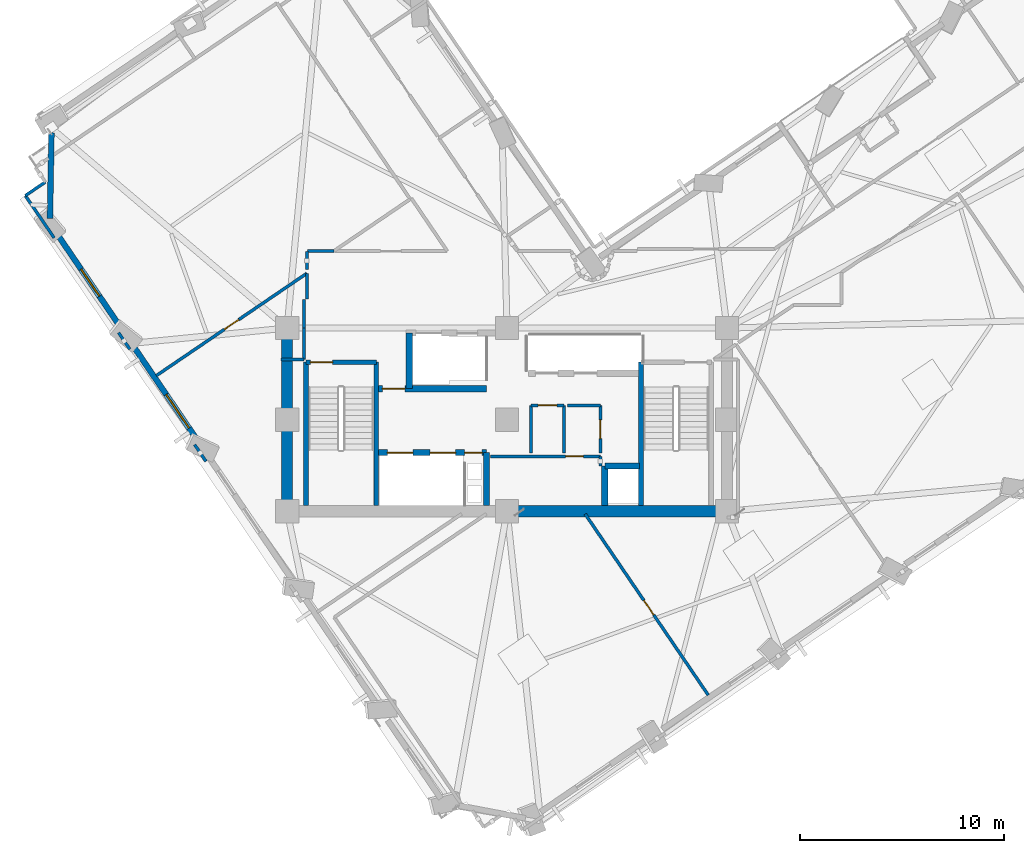
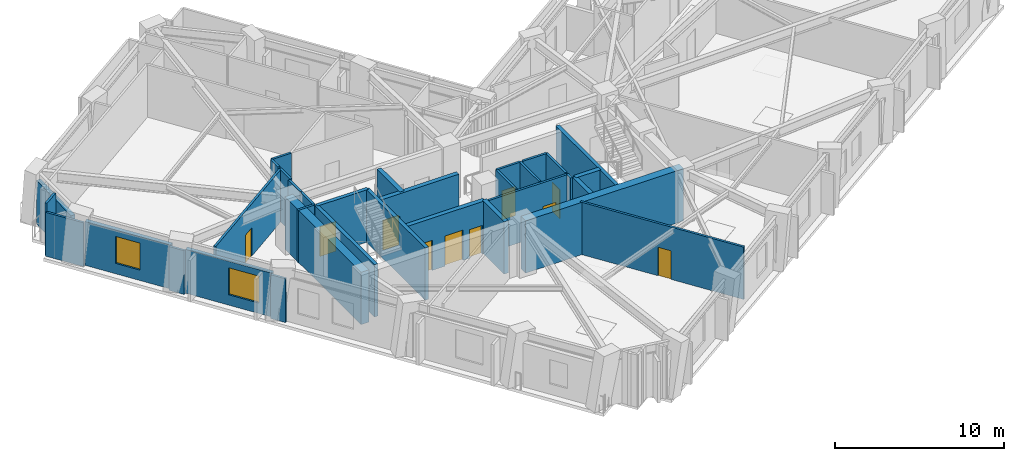
# One storey, part 8 of 16: 34 walls, 10 doors, 2 windows, 12 openings.
"""IFC4 building model written with IfcOpenShell, lengths in metres."""

import ifcopenshell
import ifcopenshell.guid

model = None  # the IFC model being written
_history = None  # IfcOwnerHistory: only IFC2X3 demands one
_inside = {}  # id of a spatial element -> (the spatial element, [elements in it])
_under = {}  # id of a project, library or spatial element -> (it, [spatial elements below it])
_declared = {}  # id of a project -> (the project, [libraries it declares])
_typed = {}  # id of a type object -> (the type object, [elements of that type])
_made_of = {}  # id of a material, layer set ... -> (it, [elements and type objects made of it])


def new_model(schema):
    """Start an empty IFC model of exactly this schema.

    Asked for "IFC4X3", IfcOpenShell would pick the latest addendum, in which some entities
    have other attributes; the version numbers below select the first issue.
    IFC2X3 requires an IfcOwnerHistory on every rooted entity: one is made here for all.
    """
    global model, _history
    if schema == "IFC4X3":
        model = ifcopenshell.file(schema_version=(4, 3, 0, 0))
    else:
        model = ifcopenshell.file(schema=schema)
    _inside.clear()
    _under.clear()
    _declared.clear()
    _typed.clear()
    _made_of.clear()
    _history = None
    if model.schema == "IFC2X3":
        org = make("IfcOrganization", Name="unknown")
        user = make(
            "IfcPersonAndOrganization",
            ThePerson=make("IfcPerson", FamilyName="unknown"),
            TheOrganization=org,
        )
        app = make(
            "IfcApplication",
            ApplicationDeveloper=org,
            Version="unknown",
            ApplicationFullName="unknown",
            ApplicationIdentifier="unknown",
        )
        _history = make(
            "IfcOwnerHistory",
            OwningUser=user,
            OwningApplication=app,
            ChangeAction="ADDED",
            CreationDate=0,
        )
    return model


def make(cls, **values):
    """One entity of the class cls with the attributes given. An attribute that is None is left unset."""
    return model.create_entity(
        cls, **{name: value for name, value in values.items() if value is not None}
    )


def rooted(cls, **values):
    """An entity with a GlobalId (a new one), such as an element, a storey or a relation."""
    return make(cls, GlobalId=ifcopenshell.guid.new(), OwnerHistory=_history, **values)


def si_unit(unit_type, name, prefix=None):
    """IfcSIUnit, for example si_unit("LENGTHUNIT", "METRE", prefix="MILLI")."""
    return make("IfcSIUnit", UnitType=unit_type, Prefix=prefix, Name=name)


def assignment(units):
    """IfcUnitAssignment: the units of a project."""
    return None if units is None else make("IfcUnitAssignment", Units=units)


def point(xyz):
    """IfcCartesianPoint."""
    return None if xyz is None else make("IfcCartesianPoint", Coordinates=xyz)


def direction(xyz):
    """IfcDirection."""
    return None if xyz is None else make("IfcDirection", DirectionRatios=xyz)


def frame(location, z_axis=None, x_axis=None):
    """IfcAxis2Placement3D, a coordinate frame: its origin and axes. An axis left out is left unset."""
    return make(
        "IfcAxis2Placement3D",
        Location=point(location),
        Axis=direction(z_axis),
        RefDirection=direction(x_axis),
    )


def frame_2d(location, x_axis=None):
    """IfcAxis2Placement2D, a coordinate frame in the plane: its origin and x axis."""
    return make(
        "IfcAxis2Placement2D", Location=point(location), RefDirection=direction(x_axis)
    )


def origin():
    """The frame at (0, 0, 0) with its axes left unset."""
    return frame((0.0, 0.0, 0.0))


def place(relative_to, where):
    """IfcLocalPlacement: puts the frame where relative to a parent placement (None: the world)."""
    return make(
        "IfcLocalPlacement", PlacementRelTo=relative_to, RelativePlacement=where
    )


def context(
    kind, dimensions, precision=None, world=None, true_north=None, identifier=None
):
    """IfcGeometricRepresentationContext, for example the 3D "Model" context."""
    return make(
        "IfcGeometricRepresentationContext",
        ContextIdentifier=identifier,
        ContextType=kind,
        CoordinateSpaceDimension=dimensions,
        Precision=precision,
        WorldCoordinateSystem=world,
        TrueNorth=true_north,
    )


def subcontext(parent, identifier, kind, view, scale=None):
    """IfcGeometricRepresentationSubContext, for example "Body" below "Model"."""
    return make(
        "IfcGeometricRepresentationSubContext",
        ContextIdentifier=identifier,
        ContextType=kind,
        ParentContext=parent,
        TargetScale=scale,
        TargetView=view,
    )


def project(units=None, contexts=None):
    """IfcProject with its units and contexts."""
    return rooted(
        "IfcProject",
        Name="project",
        RepresentationContexts=contexts,
        UnitsInContext=assignment(units),
    )


def spatial(cls, under=None, at=None, **own):
    """A site, building, storey or space (cls), placed at a placement, below another one or the project."""
    s = rooted(cls, ObjectPlacement=at, **own)
    if under is not None:
        _under.setdefault(under.id(), (under, []))[1].append(s)
    return s


def profile(cls, at=None, kind="AREA", **sizes):
    """A parametric profile (cls). Its sizes go by their IFC names, for example OverallWidth=200.0."""
    return make(cls, ProfileType=kind, Position=at, **sizes)


def rectangle(**sizes):
    """IfcRectangleProfileDef."""
    return profile("IfcRectangleProfileDef", **sizes)


def extrude(swept, where, along, depth):
    """IfcExtrudedAreaSolid: the profile swept, set in the frame where, extruded along a direction by depth."""
    return make(
        "IfcExtrudedAreaSolid",
        SweptArea=swept,
        Position=where,
        ExtrudedDirection=direction(along),
        Depth=depth,
    )


def shape(context_of_items, identifier, shape_type, items):
    """IfcShapeRepresentation: the items that make up one representation, for example the "Body"."""
    return make(
        "IfcShapeRepresentation",
        ContextOfItems=context_of_items,
        RepresentationIdentifier=identifier,
        RepresentationType=shape_type,
        Items=items,
    )


def material(Name=None, Category=None):
    """IfcMaterial."""
    return make("IfcMaterial", Name=Name, Category=Category)


def layer(
    of_material, thickness, ventilated=None, Name=None, Category=None, Priority=None
):
    """IfcMaterialLayer: one layer of a wall or slab, of a material (None: an air gap)."""
    return make(
        "IfcMaterialLayer",
        Material=of_material,
        LayerThickness=thickness,
        IsVentilated=ventilated,
        Name=Name,
        Category=Category,
        Priority=Priority,
    )


def layer_set(layers, Name=None):
    """IfcMaterialLayerSet."""
    return make("IfcMaterialLayerSet", MaterialLayers=layers, LayerSetName=Name)


def made_of(thing, what):
    """Note that an element or type object is made of a material, layer set ...; save() writes the relation."""
    if what is not None:
        _made_of.setdefault(what.id(), (what, []))[1].append(thing)
    return thing


def type_object(cls, material=None, **own):
    """A type object (cls), such as IfcWallType, which elements share."""
    return made_of(rooted(cls, **own), material)


def element(
    cls,
    number,
    at=None,
    inside=None,
    cuts=None,
    type_object=None,
    material=None,
    context=None,
    identifier="Body",
    shape_type=None,
    held_by="IfcProductDefinitionShape",
    body=None,
    shapes=None,
    **own,
):
    """One element of the class cls, such as IfcWall. Its Tag is "e" and its number.

    at: its placement. inside: the storey or other place that contains it. cuts: it is an
    opening in that element (IfcRelVoidsElement). A single representation is given by context,
    identifier, shape_type and body (its items); several are given by shapes. held_by: the class
    of the entity that holds the representations. save() writes the other relations.
    """
    e = rooted(cls, Tag="e%d" % number, ObjectPlacement=at, **own)
    if body is not None:
        shapes = [shape(context, identifier, shape_type, body)]
    if shapes is not None:
        e.Representation = make(held_by, Representations=shapes)
    if inside is not None:
        _inside.setdefault(inside.id(), (inside, []))[1].append(e)
    if cuts is not None:
        rooted(
            "IfcRelVoidsElement", RelatingBuildingElement=cuts, RelatedOpeningElement=e
        )
    if type_object is not None:
        _typed.setdefault(type_object.id(), (type_object, []))[1].append(e)
    return made_of(e, material)


def fill(opening, filler):
    """IfcRelFillsElement: the door or window that sits in an opening."""
    return rooted(
        "IfcRelFillsElement",
        RelatingOpeningElement=opening,
        RelatedBuildingElement=filler,
    )


def aggregate(whole, parts):
    """IfcRelAggregates: a whole, such as a stair, and the parts it consists of."""
    return rooted("IfcRelAggregates", RelatingObject=whole, RelatedObjects=parts)


def save(model, path):
    """Write the relations noted so far, then the file.

    IfcRelAggregates (storeys below a building ...), IfcRelContainedInSpatialStructure (elements
    in a storey), IfcRelDefinesByType, IfcRelAssociatesMaterial and IfcRelDeclares: one each for
    every whole, place, type object, material and project.
    """
    for whole, parts in _under.values():
        aggregate(whole, parts)
    for where, things in _inside.values():
        rooted(
            "IfcRelContainedInSpatialStructure",
            RelatedElements=things,
            RelatingStructure=where,
        )
    for kind, things in _typed.values():
        rooted("IfcRelDefinesByType", RelatedObjects=things, RelatingType=kind)
    for what, things in _made_of.values():
        rooted("IfcRelAssociatesMaterial", RelatedObjects=things, RelatingMaterial=what)
    for by, libraries in _declared.values():
        rooted("IfcRelDeclares", RelatingContext=by, RelatedDefinitions=libraries)
    model.write(path)


model = new_model("IFC4")

# Units and contexts
model_context = context("Model", 3, precision=1e-05, world=origin(), true_north=direction((0.0, 1.0)))
body_context = subcontext(model_context, "Body", "Model", "MODEL_VIEW")
ifc_project = project(units=[si_unit("LENGTHUNIT", "METRE"), si_unit("AREAUNIT", "SQUARE_METRE"), si_unit("VOLUMEUNIT", "CUBIC_METRE"), si_unit("PLANEANGLEUNIT", "RADIAN"), si_unit("MASSUNIT", "GRAM", prefix="KILO")], contexts=[model_context])

# Site, building, storey
site_placement = place(None, origin())
site = spatial("IfcSite", under=ifc_project, at=site_placement, CompositionType="ELEMENT")
building_placement = place(site_placement, origin())
building = spatial("IfcBuilding", under=site, at=building_placement, Name="Gaonmaruhae Medical Tower", CompositionType="ELEMENT")
storey_placement = place(building_placement, frame((0.0, 0.0, 169.800048828125)))
storey = spatial("IfcBuildingStorey", under=building, at=storey_placement, Name="L40", CompositionType="ELEMENT", Elevation=169.800048828125)

# Walls
ifc_material_1 = material(Name="Concrete C50/60", Category="concrete")
ifc_layer_1 = layer(ifc_material_1, 0.550048828125)
ifc_layer_set_1 = layer_set([ifc_layer_1], Name="Concrete C50/60")
wall_type_1 = type_object("IfcWallType", Name="CW-550 Mid-High Core Shear Wall", PredefinedType="SHEAR", material=ifc_layer_set_1)
wall_1_placement = place(storey_placement, frame((24.800048828125, 7.800048828125, 0.0), z_axis=(0.0, 0.0, 1.0), x_axis=(1.0, 0.0, 0.0)))
element("IfcWall", 1, at=wall_1_placement, inside=storey, type_object=wall_type_1, Name="L40 Core Shear Wall CSW-S2", PredefinedType="SHEAR", context=body_context, shape_type="SweptSolid", body=[
    extrude(rectangle(XDim=10.800048828125, YDim=0.550048828125, at=frame_2d((5.39990234375, 0.0))), origin(), (0.0, 0.0, 1.0), 3.780029296875),
])
wall_2_placement = place(storey_placement, frame((14.0, 16.800048828125, 0.0), z_axis=(0.0, 0.0, 1.0), x_axis=(0.0, -1.0, 0.0)))
element("IfcWall", 2, at=wall_2_placement, inside=storey, type_object=wall_type_1, Name="L40 Core Shear Wall CSW-W1", PredefinedType="SHEAR", context=body_context, shape_type="SweptSolid", body=[
    extrude(rectangle(XDim=9.0, YDim=0.550048828125, at=frame_2d((4.5, 0.0))), origin(), (0.0, 0.0, 1.0), 3.780029296875),
])
ifc_material_2 = material(Name="Precast concrete C45/55", Category="concrete")
ifc_layer_2 = layer(ifc_material_2, 0.280029296875)
ifc_layer_set_2 = layer_set([ifc_layer_2], Name="Precast concrete C45/55")
wall_type_2 = type_object("IfcWallType", Name="EW-280 Upper Precast Masonry-Frame Facade Wall", PredefinedType="SOLIDWALL", material=ifc_layer_set_2)
wall_3_placement = place(storey_placement, frame((2.357177734375, 22.179443359375, 0.0), z_axis=(0.0, 0.0, 1.0), x_axis=(0.017743538058, 0.999842571037, 0.0)))
element("IfcWall", 3, at=wall_3_placement, inside=storey, type_object=wall_type_2, Name="L40 Precast Masonry-Frame Wall N03-W01", PredefinedType="SOLIDWALL", context=body_context, shape_type="SweptSolid", body=[
    extrude(rectangle(XDim=4.21044921875, YDim=0.280029296875, at=frame_2d((2.105224609375, 0.0))), origin(), (0.0, 0.0, 1.0), 3.1650390625),
])

# Wall, opening, window
wall_4_placement = place(storey_placement, frame((5.914794921875, 16.701416015625, 0.0), z_axis=(0.0, 0.0, 1.0), x_axis=(-0.562096416703, 0.82707171293, 0.0)))
wall_4 = element("IfcWall", 4, at=wall_4_placement, inside=storey, type_object=wall_type_2, Name="L40 Precast Masonry-Frame Wall W01-W02", PredefinedType="SOLIDWALL", context=body_context, shape_type="SweptSolid", body=[
    extrude(rectangle(XDim=5.627685546875, YDim=0.280029296875, at=frame_2d((2.81396484375, 0.0))), origin(), (0.0, 0.0, 1.0), 3.1650390625),
])
opening_1_placement = place(wall_4_placement, frame((2.01123046875, 0.0, 0.75)))
opening_1 = element("IfcOpeningElement", 5, at=opening_1_placement, cuts=wall_4, Name="Opening WN-01", PredefinedType="OPENING", context=body_context, shape_type="SweptSolid", body=[
    extrude(rectangle(XDim=1.60009765625, YDim=1.949951171875, at=frame_2d((0.800048828125, 0.97509765625))), frame((0.0, 0.14990234375, 0.0), z_axis=(0.0, -1.0, 0.0), x_axis=(1.0, 0.0, 0.0)), (0.0, 0.0, 1.0), 0.300048828125),
])
ifc_material_3 = material(Name="Anodised aluminium and Low-E double glazing", Category="aluminium")
window_type_1 = type_object("IfcWindowType", Name="WN-01 Ward Punched Acoustic Window 1600x1950", PartitioningType="SINGLE_PANEL", PredefinedType="WINDOW", material=ifc_material_3)
window_1_placement = place(opening_1_placement, origin())
window_1 = element("IfcWindow", 6, at=window_1_placement, inside=storey, type_object=window_type_1, Name="L40 Modular Facade Window W01", OverallHeight=1.949951171875, OverallWidth=1.60009765625, PartitioningType="SINGLE_PANEL", PredefinedType="WINDOW", context=body_context, shape_type="SweptSolid", body=[
    extrude(rectangle(XDim=1.60009765625, YDim=1.949951171875, at=frame_2d((0.800048828125, 0.97509765625))), frame((0.0, 0.030029296875, 0.0), z_axis=(0.0, -1.0, 0.0), x_axis=(1.0, 0.0, 0.0)), (0.0, 0.0, 1.0), 0.06005859375),
])
fill(opening_1, window_1)

wall_5_placement = place(storey_placement, frame((9.64990234375, 11.20556640625, 0.0), z_axis=(0.0, 0.0, 1.0), x_axis=(-0.562110697088, 0.827062007482, 0.0)))
wall_5 = element("IfcWall", 7, at=wall_5_placement, inside=storey, type_object=wall_type_2, Name="L40 Precast Masonry-Frame Wall W02-W03", PredefinedType="SOLIDWALL", context=body_context, shape_type="SweptSolid", body=[
    extrude(rectangle(XDim=5.662353515625, YDim=0.280029296875, at=frame_2d((2.8310546875, 0.0))), origin(), (0.0, 0.0, 1.0), 3.1650390625),
])
opening_2_placement = place(wall_5_placement, frame((0.823486328125, 0.0, 0.75)))
opening_2 = element("IfcOpeningElement", 8, at=opening_2_placement, cuts=wall_5, Name="Opening WN-02", PredefinedType="OPENING", context=body_context, shape_type="SweptSolid", body=[
    extrude(rectangle(XDim=2.0, YDim=1.949951171875, at=frame_2d((1.0, 0.97509765625))), frame((0.0, 0.14990234375, 0.0), z_axis=(0.0, -1.0, 0.0), x_axis=(1.0, 0.0, 0.0)), (0.0, 0.0, 1.0), 0.300048828125),
])
window_type_2 = type_object("IfcWindowType", Name="WN-02 Double-Bed Ward Punched Window 2000x1950", PartitioningType="SINGLE_PANEL", PredefinedType="WINDOW", material=ifc_material_3)
window_2_placement = place(opening_2_placement, origin())
window_2 = element("IfcWindow", 9, at=window_2_placement, inside=storey, type_object=window_type_2, Name="L40 Modular Facade Window W02", OverallHeight=1.949951171875, OverallWidth=2.0, PartitioningType="SINGLE_PANEL", PredefinedType="WINDOW", context=body_context, shape_type="SweptSolid", body=[
    extrude(rectangle(XDim=2.0, YDim=1.949951171875, at=frame_2d((1.0, 0.97509765625))), frame((0.0, 0.030029296875, 0.0), z_axis=(0.0, -1.0, 0.0), x_axis=(1.0, 0.0, 0.0)), (0.0, 0.0, 1.0), 0.06005859375),
])
fill(opening_2, window_2)

# Wall, opening, door
ifc_material_4 = material(Name="Gypsum board partition", Category="gypsum")
ifc_layer_3 = layer(ifc_material_4, 0.14990234375)
ifc_layer_set_3 = layer_set([ifc_layer_3], Name="Gypsum board partition")
wall_type_3 = type_object("IfcWallType", Name="PW-150 Rated Clinical Corridor Partition", PredefinedType="PARTITIONING", material=ifc_layer_set_3)
wall_6_placement = place(storey_placement, frame((23.97998046875, 10.5, 0.0), z_axis=(0.0, 0.0, 1.0), x_axis=(1.0, 0.0, 0.0)))
wall_6 = element("IfcWall", 10, at=wall_6_placement, inside=storey, type_object=wall_type_3, Name="L40 Interior Partition L40-RCL1-1", PredefinedType="PARTITIONING", context=body_context, shape_type="SweptSolid", body=[
    extrude(rectangle(XDim=5.39990234375, YDim=0.14990234375, at=frame_2d((2.699951171875, 0.0))), origin(), (0.0, 0.0, 1.0), 3.780029296875),
])
opening_3_placement = place(wall_6_placement, frame((3.702880859375, 0.0, 0.0)))
opening_3 = element("IfcOpeningElement", 11, at=opening_3_placement, cuts=wall_6, Name="Opening AD-01", PredefinedType="OPENING", context=body_context, shape_type="SweptSolid", body=[
    extrude(rectangle(XDim=0.860107421875, YDim=2.06005859375, at=frame_2d((0.43017578125, 1.030029296875))), frame((0.0, 0.0849609375, 0.0), z_axis=(0.0, -1.0, 0.0), x_axis=(1.0, 0.0, 0.0)), (0.0, 0.0, 1.0), 0.169921875),
])
ifc_material_5 = material(Name="Powder-coated steel access door", Category="steel")
door_type_1 = type_object("IfcDoorType", Name="AD-01 Riser & Closet Access Fire Door 860x2060", OperationType="NOTDEFINED", PredefinedType="DOOR", material=ifc_material_5)
door_1_placement = place(opening_3_placement, origin())
door_1 = element("IfcDoor", 12, at=door_1_placement, inside=storey, type_object=door_type_1, Name="L40 Biomedical Infusion Preparation Room Sliding Door", OperationType="SLIDING_TO_LEFT", OverallHeight=2.06005859375, OverallWidth=0.860107421875, PredefinedType="DOOR", context=body_context, shape_type="SweptSolid", body=[
    extrude(rectangle(XDim=0.860107421875, YDim=2.06005859375, at=frame_2d((0.43017578125, 1.030029296875))), frame((0.0, 0.02490234375, 0.0), z_axis=(0.0, -1.0, 0.0), x_axis=(1.0, 0.0, 0.0)), (0.0, 0.0, 1.0), 0.050048828125),
])
fill(opening_3, door_1)

# Walls
wall_7_placement = place(storey_placement, frame((29.3798828125, 10.5, 0.0), z_axis=(0.0, 0.0, 1.0), x_axis=(0.0, -1.0, 0.0)))
element("IfcWall", 13, at=wall_7_placement, inside=storey, type_object=wall_type_3, Name="L40 Interior Partition L40-RCL1-2", PredefinedType="PARTITIONING", context=body_context, shape_type="SweptSolid", body=[
    extrude(rectangle(XDim=0.47998046875, YDim=0.14990234375, at=frame_2d((0.239990234375, 0.0))), origin(), (0.0, 0.0, 1.0), 3.780029296875),
])
wall_8_placement = place(storey_placement, frame((25.97998046875, 10.659912109375, 0.0), z_axis=(0.0, 0.0, 1.0), x_axis=(0.0, 1.0, 0.0)))
element("IfcWall", 14, at=wall_8_placement, inside=storey, type_object=wall_type_3, Name="L40 Interior Partition L40-CS1-3", PredefinedType="PARTITIONING", context=body_context, shape_type="SweptSolid", body=[
    extrude(rectangle(XDim=2.340087890625, YDim=0.14990234375, at=frame_2d((1.169921875, 0.0))), origin(), (0.0, 0.0, 1.0), 3.780029296875),
])

# Wall, opening, door
wall_9_placement = place(storey_placement, frame((25.97998046875, 13.0, 0.0), z_axis=(0.0, 0.0, 1.0), x_axis=(1.0, 0.0, 0.0)))
wall_9 = element("IfcWall", 15, at=wall_9_placement, inside=storey, type_object=wall_type_3, Name="L40 Interior Partition L40-CS1-4", PredefinedType="PARTITIONING", context=body_context, shape_type="SweptSolid", body=[
    extrude(rectangle(XDim=1.6201171875, YDim=0.14990234375, at=frame_2d((0.81005859375, 0.0))), origin(), (0.0, 0.0, 1.0), 3.780029296875),
])
opening_4_placement = place(wall_9_placement, frame((0.35009765625, 0.0, 0.0)))
opening_4 = element("IfcOpeningElement", 16, at=opening_4_placement, cuts=wall_9, Name="Opening UD-01", PredefinedType="OPENING", context=body_context, shape_type="SweptSolid", body=[
    extrude(rectangle(XDim=0.919921875, YDim=2.10009765625, at=frame_2d((0.4599609375, 1.050048828125))), frame((0.0, 0.0849609375, 0.0), z_axis=(0.0, -1.0, 0.0), x_axis=(1.0, 0.0, 0.0)), (0.0, 0.0, 1.0), 0.169921875),
])
ifc_material_6 = material(Name="Powder-coated steel utility door", Category="steel")
door_type_2 = type_object("IfcDoorType", Name="UD-01 Toilet, Utility & Housekeeping Door 920x2100", OperationType="NOTDEFINED", PredefinedType="DOOR", material=ifc_material_6)
door_2_placement = place(opening_4_placement, origin())
door_2 = element("IfcDoor", 17, at=door_2_placement, inside=storey, type_object=door_type_2, Name="L40 Accessible Staff Toilet Door", OperationType="SINGLE_SWING_RIGHT", OverallHeight=2.10009765625, OverallWidth=0.919921875, PredefinedType="DOOR", context=body_context, shape_type="SweptSolid", body=[
    extrude(rectangle(XDim=0.919921875, YDim=2.10009765625, at=frame_2d((0.4599609375, 1.050048828125))), frame((0.0, 0.02490234375, 0.0), z_axis=(0.0, -1.0, 0.0), x_axis=(1.0, 0.0, 0.0)), (0.0, 0.0, 1.0), 0.050048828125),
])
fill(opening_4, door_2)

# Walls
wall_10_placement = place(storey_placement, frame((27.60009765625, 13.0, 0.0), z_axis=(0.0, 0.0, 1.0), x_axis=(0.0, -1.0, 0.0)))
element("IfcWall", 18, at=wall_10_placement, inside=storey, type_object=wall_type_3, Name="L40 Interior Partition L40-CS1-5", PredefinedType="PARTITIONING", context=body_context, shape_type="SweptSolid", body=[
    extrude(rectangle(XDim=2.340087890625, YDim=0.14990234375, at=frame_2d((1.169921875, 0.0))), origin(), (0.0, 0.0, 1.0), 3.780029296875),
])
wall_11_placement = place(storey_placement, frame((27.760009765625, 13.0, 0.0), z_axis=(0.0, 0.0, 1.0), x_axis=(1.0, 0.0, 0.0)))
element("IfcWall", 19, at=wall_11_placement, inside=storey, type_object=wall_type_3, Name="L40 Interior Partition L40-CS2-6", PredefinedType="PARTITIONING", context=body_context, shape_type="SweptSolid", body=[
    extrude(rectangle(XDim=1.619873046875, YDim=0.14990234375, at=frame_2d((0.81005859375, 0.0))), origin(), (0.0, 0.0, 1.0), 3.780029296875),
])

# Wall, opening, door
wall_12_placement = place(storey_placement, frame((29.3798828125, 13.0, 0.0), z_axis=(0.0, 0.0, 1.0), x_axis=(0.0, -1.0, 0.0)))
wall_12 = element("IfcWall", 20, at=wall_12_placement, inside=storey, type_object=wall_type_3, Name="L40 Interior Partition L40-CS2-7", PredefinedType="PARTITIONING", context=body_context, shape_type="SweptSolid", body=[
    extrude(rectangle(XDim=2.340087890625, YDim=0.14990234375, at=frame_2d((1.169921875, 0.0))), origin(), (0.0, 0.0, 1.0), 3.780029296875),
])
opening_5_placement = place(wall_12_placement, frame((0.7099609375, 0.0, 0.0)))
opening_5 = element("IfcOpeningElement", 21, at=opening_5_placement, cuts=wall_12, Name="Opening UD-01", PredefinedType="OPENING", context=body_context, shape_type="SweptSolid", body=[
    extrude(rectangle(XDim=0.919921875, YDim=2.10009765625, at=frame_2d((0.4599609375, 1.050048828125))), frame((0.0, 0.0849609375, 0.0), z_axis=(0.0, -1.0, 0.0), x_axis=(1.0, 0.0, 0.0)), (0.0, 0.0, 1.0), 0.169921875),
])
door_3_placement = place(opening_5_placement, origin())
door_3 = element("IfcDoor", 22, at=door_3_placement, inside=storey, type_object=door_type_2, Name="L40 Biomedical Telemetry Closet Door", OperationType="SINGLE_SWING_RIGHT", OverallHeight=2.10009765625, OverallWidth=0.919921875, PredefinedType="DOOR", context=body_context, shape_type="SweptSolid", body=[
    extrude(rectangle(XDim=0.919921875, YDim=2.10009765625, at=frame_2d((0.4599609375, 1.050048828125))), frame((0.0, 0.02490234375, 0.0), z_axis=(0.0, -1.0, 0.0), x_axis=(1.0, 0.0, 0.0)), (0.0, 0.0, 1.0), 0.050048828125),
])
fill(opening_5, door_3)

wall_13_placement = place(storey_placement, frame((28.635986328125, 7.66796875, 0.0), z_axis=(0.0, 0.0, 1.0), x_axis=(0.562095190214, -0.827072546479, 0.0)))
wall_13 = element("IfcWall", 23, at=wall_13_placement, inside=storey, type_object=wall_type_3, Name="L40 Interior Partition L40-SUP01-11", PredefinedType="PARTITIONING", context=body_context, shape_type="SweptSolid", body=[
    extrude(rectangle(XDim=10.756103515625, YDim=0.14990234375, at=frame_2d((5.3779296875, 0.0))), origin(), (0.0, 0.0, 1.0), 3.780029296875),
])
opening_6_placement = place(wall_13_placement, frame((5.129150390625, 0.0, 0.0)))
opening_6 = element("IfcOpeningElement", 24, at=opening_6_placement, cuts=wall_13, Name="Opening AD-01", PredefinedType="OPENING", context=body_context, shape_type="SweptSolid", body=[
    extrude(rectangle(XDim=0.860107421875, YDim=2.06005859375, at=frame_2d((0.43017578125, 1.030029296875))), frame((0.0, 0.0849609375, 0.0), z_axis=(0.0, -1.0, 0.0), x_axis=(1.0, 0.0, 0.0)), (0.0, 0.0, 1.0), 0.169921875),
])
door_4_placement = place(opening_6_placement, origin())
door_4 = element("IfcDoor", 25, at=door_4_placement, inside=storey, type_object=door_type_1, Name="L40 Clinical Biomedical Charting Office Sliding Door", OperationType="SLIDING_TO_LEFT", OverallHeight=2.06005859375, OverallWidth=0.860107421875, PredefinedType="DOOR", context=body_context, shape_type="SweptSolid", body=[
    extrude(rectangle(XDim=0.860107421875, YDim=2.06005859375, at=frame_2d((0.43017578125, 1.030029296875))), frame((0.0, 0.02490234375, 0.0), z_axis=(0.0, -1.0, 0.0), x_axis=(1.0, 0.0, 0.0)), (0.0, 0.0, 1.0), 0.050048828125),
])
fill(opening_6, door_4)

# Walls
wall_14_placement = place(storey_placement, frame((14.820068359375, 18.199951171875, 0.0), z_axis=(0.0, 0.0, 1.0), x_axis=(0.01499656939, -0.99988754513, 0.0)))
element("IfcWall", 26, at=wall_14_placement, inside=storey, type_object=wall_type_3, Name="L40 Interior Partition L40-WOF05-36", PredefinedType="PARTITIONING", context=body_context, shape_type="SweptSolid", body=[
    extrude(rectangle(XDim=1.400146484375, YDim=0.14990234375, at=frame_2d((0.7001953125, 0.0))), origin(), (0.0, 0.0, 1.0), 3.780029296875),
])
wall_15_placement = place(storey_placement, frame((14.841064453125, 16.800048828125, 0.0), z_axis=(0.0, 0.0, 1.0), x_axis=(-0.01363221443, -0.999907077048, 0.0)))
element("IfcWall", 27, at=wall_15_placement, inside=storey, type_object=wall_type_3, Name="L40 Interior Partition L40-WOF05-37", PredefinedType="PARTITIONING", context=body_context, shape_type="SweptSolid", body=[
    extrude(rectangle(XDim=1.540283203125, YDim=0.14990234375, at=frame_2d((0.77001953125, 0.0))), origin(), (0.0, 0.0, 1.0), 3.780029296875),
])
wall_16_placement = place(storey_placement, frame((14.820068359375, 15.260009765625, 0.0), z_axis=(0.0, 0.0, 1.0), x_axis=(-1.0, 0.0, 0.0)))
element("IfcWall", 28, at=wall_16_placement, inside=storey, type_object=wall_type_3, Name="L40 Interior Partition L40-WOF05-38", PredefinedType="PARTITIONING", context=body_context, shape_type="SweptSolid", body=[
    extrude(rectangle(XDim=1.1201171875, YDim=0.14990234375, at=frame_2d((0.56005859375, 0.0))), origin(), (0.0, 0.0, 1.0), 3.780029296875),
])
wall_17_placement = place(storey_placement, frame((10.01708984375, 10.256103515625, 0.0), z_axis=(0.0, 0.0, 1.0), x_axis=(-0.562067465181, 0.827091388291, 0.0)))
element("IfcWall", 29, at=wall_17_placement, inside=storey, type_object=wall_type_3, Name="L40 Interior Partition L40-WOF05-41", PredefinedType="PARTITIONING", context=body_context, shape_type="SweptSolid", body=[
    extrude(rectangle(XDim=0.9912109375, YDim=0.14990234375, at=frame_2d((0.49560546875, 0.0))), origin(), (0.0, 0.0, 1.0), 3.1650390625),
])

# Wall, opening, door
wall_18_placement = place(storey_placement, frame((7.576904296875, 14.4599609375, 0.0), z_axis=(0.0, 0.0, 1.0), x_axis=(0.827101219413, 0.562052998253, 0.0)))
wall_18 = element("IfcWall", 30, at=wall_18_placement, inside=storey, type_object=wall_type_3, Name="L40 Interior Partition L40-WOF05-42", PredefinedType="PARTITIONING", context=body_context, shape_type="SweptSolid", body=[
    extrude(rectangle(XDim=8.9384765625, YDim=0.14990234375, at=frame_2d((4.46923828125, 0.0))), origin(), (0.0, 0.0, 1.0), 3.780029296875),
])
opening_7_placement = place(wall_18_placement, frame((4.039306640625, 0.0, 0.0)))
opening_7 = element("IfcOpeningElement", 31, at=opening_7_placement, cuts=wall_18, Name="Opening AD-01", PredefinedType="OPENING", context=body_context, shape_type="SweptSolid", body=[
    extrude(rectangle(XDim=0.860107421875, YDim=2.06005859375, at=frame_2d((0.43017578125, 1.030029296875))), frame((0.0, 0.0849609375, 0.0), z_axis=(0.0, -1.0, 0.0), x_axis=(1.0, 0.0, 0.0)), (0.0, 0.0, 1.0), 0.169921875),
])
door_5_placement = place(opening_7_placement, origin())
door_5 = element("IfcDoor", 32, at=door_5_placement, inside=storey, type_object=door_type_1, Name="L40 Ward Physician Reporting Office Sliding Door", OperationType="SLIDING_TO_LEFT", OverallHeight=2.06005859375, OverallWidth=0.860107421875, PredefinedType="DOOR", context=body_context, shape_type="SweptSolid", body=[
    extrude(rectangle(XDim=0.860107421875, YDim=2.06005859375, at=frame_2d((0.43017578125, 1.030029296875))), frame((0.0, 0.02490234375, 0.0), z_axis=(0.0, -1.0, 0.0), x_axis=(1.0, 0.0, 0.0)), (0.0, 0.0, 1.0), 0.050048828125),
])
fill(opening_7, door_5)

# Walls
wall_19_placement = place(storey_placement, frame((14.969970703125, 19.48388671875, 0.0), z_axis=(0.0, 0.0, 1.0), x_axis=(0.0, -1.0, 0.0)))
element("IfcWall", 33, at=wall_19_placement, inside=storey, type_object=wall_type_3, Name="L40 Interior Partition L40-WOF05-43", PredefinedType="PARTITIONING", context=body_context, shape_type="SweptSolid", body=[
    extrude(rectangle(XDim=1.25390625, YDim=0.14990234375, at=frame_2d((0.626953125, 0.0))), origin(), (0.0, 0.0, 1.0), 3.780029296875),
])
wall_20_placement = place(storey_placement, frame((14.969970703125, 20.550048828125, 0.0), z_axis=(0.0, 0.0, 1.0), x_axis=(0.0, -1.0, 0.0)))
element("IfcWall", 34, at=wall_20_placement, inside=storey, type_object=wall_type_3, Name="L40 Interior Partition L40-WOF06-44", PredefinedType="PARTITIONING", context=body_context, shape_type="SweptSolid", body=[
    extrude(rectangle(XDim=0.8720703125, YDim=0.14990234375, at=frame_2d((0.43603515625, 0.0))), origin(), (0.0, 0.0, 1.0), 3.780029296875),
])
wall_21_placement = place(storey_placement, frame((6.277099609375, 15.759033203125, 0.0), z_axis=(0.0, 0.0, 1.0), x_axis=(-0.561732265125, 0.827319081321, 0.0)))
element("IfcWall", 35, at=wall_21_placement, inside=storey, type_object=wall_type_3, Name="L40 Interior Partition L40-WOF06-45", PredefinedType="PARTITIONING", context=body_context, shape_type="SweptSolid", body=[
    extrude(rectangle(XDim=0.982666015625, YDim=0.14990234375, at=frame_2d((0.4912109375, 0.0))), origin(), (0.0, 0.0, 1.0), 3.1650390625),
])
wall_22_placement = place(storey_placement, frame((2.56103515625, 21.22705078125, 0.0), z_axis=(0.0, 0.0, 1.0), x_axis=(-0.562089073795, 0.827076703287, 0.0)))
element("IfcWall", 36, at=wall_22_placement, inside=storey, type_object=wall_type_3, Name="L40 Interior Partition L40-WOF06-46", PredefinedType="PARTITIONING", context=body_context, shape_type="SweptSolid", body=[
    extrude(rectangle(XDim=2.5087890625, YDim=0.14990234375, at=frame_2d((1.25439453125, 0.0))), origin(), (0.0, 0.0, 1.0), 3.1650390625),
])
wall_23_placement = place(storey_placement, frame((1.15087890625, 23.302001953125, 0.0), z_axis=(0.0, 0.0, 1.0), x_axis=(0.827180400401, 0.561936460102, 0.0)))
element("IfcWall", 37, at=wall_23_placement, inside=storey, type_object=wall_type_3, Name="L40 Interior Partition L40-WOF06-47", PredefinedType="PARTITIONING", context=body_context, shape_type="SweptSolid", body=[
    extrude(rectangle(XDim=1.179931640625, YDim=0.14990234375, at=frame_2d((0.58984375, 0.0))), origin(), (0.0, 0.0, 1.0), 3.780029296875),
])
wall_24_placement = place(storey_placement, frame((16.298095703125, 20.580078125, 0.0), z_axis=(0.0, 0.0, 1.0), x_axis=(-1.0, 0.0, 0.0)))
element("IfcWall", 38, at=wall_24_placement, inside=storey, type_object=wall_type_3, Name="L40 Interior Partition L40-WOF06-53", PredefinedType="PARTITIONING", context=body_context, shape_type="SweptSolid", body=[
    extrude(rectangle(XDim=1.301025390625, YDim=0.14990234375, at=frame_2d((0.650390625, 0.0))), origin(), (0.0, 0.0, 1.0), 3.780029296875),
])

# Wall, opening, door
ifc_layer_4 = layer(ifc_material_1, 0.239990234375)
ifc_layer_set_4 = layer_set([ifc_layer_4], Name="Concrete C50/60")
wall_type_4 = type_object("IfcWallType", Name="SW-240 Dogleg Stair Tight Shaft Wall", PredefinedType="SOLIDWALL", material=ifc_layer_set_4)
wall_25_placement = place(storey_placement, frame((14.919921875, 15.1201171875, 0.0), z_axis=(0.0, 0.0, 1.0), x_axis=(1.0, 0.0, 0.0)))
wall_25 = element("IfcWall", 39, at=wall_25_placement, inside=storey, type_object=wall_type_4, Name="L40 ST-01 Stair Shaft Wall SHW-ST-01-N", PredefinedType="SOLIDWALL", context=body_context, shape_type="SweptSolid", body=[
    extrude(rectangle(XDim=3.4599609375, YDim=0.239990234375, at=frame_2d((1.72998046875, 0.0))), origin(), (0.0, 0.0, 1.0), 3.780029296875),
])
opening_8_placement = place(wall_25_placement, frame((0.219970703125, 0.0, 0.0)))
opening_8 = element("IfcOpeningElement", 40, at=opening_8_placement, cuts=wall_25, Name="Opening FD-01", PredefinedType="OPENING", context=body_context, shape_type="SweptSolid", body=[
    extrude(rectangle(XDim=1.10009765625, YDim=2.14990234375, at=frame_2d((0.550048828125, 1.074951171875))), frame((0.0, 0.1298828125, 0.0), z_axis=(0.0, -1.0, 0.0), x_axis=(1.0, 0.0, 0.0)), (0.0, 0.0, 1.0), 0.260009765625),
])
ifc_material_7 = material(Name="Powder-coated steel fire door", Category="steel")
door_type_3 = type_object("IfcDoorType", Name="FD-01 Escape Stair Protected Fire Door 1100x2150", OperationType="NOTDEFINED", PredefinedType="DOOR", material=ifc_material_7)
door_6_placement = place(opening_8_placement, origin())
door_6 = element("IfcDoor", 41, at=door_6_placement, inside=storey, type_object=door_type_3, Name="L40 ST-01 Protected Escape Stair Door", OperationType="SINGLE_SWING_RIGHT", OverallHeight=2.14990234375, OverallWidth=1.10009765625, PredefinedType="DOOR", context=body_context, shape_type="SweptSolid", body=[
    extrude(rectangle(XDim=1.10009765625, YDim=2.14990234375, at=frame_2d((0.550048828125, 1.074951171875))), frame((0.0, 0.02490234375, 0.0), z_axis=(0.0, -1.0, 0.0), x_axis=(1.0, 0.0, 0.0)), (0.0, 0.0, 1.0), 0.050048828125),
])
fill(opening_8, door_6)

# Walls
for number, where, z_axis, x_axis, name in (
    (42, (18.3798828125, 15.1201171875, 0.0), (0.0, 0.0, 1.0), (0.0, -1.0, 0.0), "L40 ST-01 Stair Shaft Wall SHW-ST-01-E"),
    (43, (14.919921875, 8.074951171875, 0.0), (0.0, 0.0, 1.0), (0.0, 1.0, 0.0), "L40 ST-01 Stair Shaft Wall SHW-ST-01-W"),
    (44, (31.3701171875, 8.074951171875, 0.0), (0.0, 0.0, 1.0), (0.0, 1.0, 0.0), "L40 ST-02 Stair Shaft Wall SHW-ST-02-W"),
):
    element("IfcWall", number, at=place(storey_placement, frame(where, z_axis=z_axis, x_axis=x_axis)), inside=storey, type_object=wall_type_4, Name=name, PredefinedType="SOLIDWALL", context=body_context, shape_type="SweptSolid", body=[
        extrude(rectangle(XDim=7.045166015625, YDim=0.239990234375, at=frame_2d((3.5224609375, 0.0))), origin(), (0.0, 0.0, 1.0), 3.780029296875),
    ])

# Wall, openings, doors
ifc_layer_5 = layer(ifc_material_1, 0.300048828125)
ifc_layer_set_5 = layer_set([ifc_layer_5], Name="Concrete C50/60")
wall_type_5 = type_object("IfcWallType", Name="SW-300 Stair & Lift Hoistway Shaft Wall", PredefinedType="SOLIDWALL", material=ifc_layer_set_5)
wall_26_placement = place(storey_placement, frame((18.5, 10.679931640625, 0.0), z_axis=(0.0, 0.0, 1.0), x_axis=(1.0, 0.0, 0.0)))
wall_26 = element("IfcWall", 45, at=wall_26_placement, inside=storey, type_object=wall_type_5, Name="L40 Shaft Enclosure Wall SHW-FFN", PredefinedType="SOLIDWALL", context=body_context, shape_type="SweptSolid", body=[
    extrude(rectangle(XDim=5.300048828125, YDim=0.300048828125, at=frame_2d((2.64990234375, 0.0))), origin(), (0.0, 0.0, 1.0), 3.780029296875),
])
opening_9_placement = place(wall_26_placement, frame((4.219970703125, 0.0, 0.0)))
opening_9 = element("IfcOpeningElement", 46, at=opening_9_placement, cuts=wall_26, Name="Opening AD-01", PredefinedType="OPENING", context=body_context, shape_type="SweptSolid", body=[
    extrude(rectangle(XDim=0.860107421875, YDim=2.06005859375, at=frame_2d((0.43017578125, 1.030029296875))), frame((0.0, 0.16015625, 0.0), z_axis=(0.0, -1.0, 0.0), x_axis=(1.0, 0.0, 0.0)), (0.0, 0.0, 1.0), 0.320068359375),
])
opening_10_placement = place(wall_26_placement, frame((0.425048828125, 0.0, 0.0)))
opening_10 = element("IfcOpeningElement", 47, at=opening_10_placement, cuts=wall_26, Name="Opening LD-F1", PredefinedType="OPENING", context=body_context, shape_type="SweptSolid", body=[
    extrude(rectangle(XDim=1.25, YDim=2.179931640625, at=frame_2d((0.625, 1.08984375))), frame((0.0, 0.16015625, 0.0), z_axis=(0.0, -1.0, 0.0), x_axis=(1.0, 0.0, 0.0)), (0.0, 0.0, 1.0), 0.320068359375),
])
opening_11_placement = place(wall_26_placement, frame((2.52490234375, 0.0, 0.0)))
opening_11 = element("IfcOpeningElement", 48, at=opening_11_placement, cuts=wall_26, Name="Opening LD-F1", PredefinedType="OPENING", context=body_context, shape_type="SweptSolid", body=[
    extrude(rectangle(XDim=1.25, YDim=2.179931640625, at=frame_2d((0.625, 1.08984375))), frame((0.0, 0.16015625, 0.0), z_axis=(0.0, -1.0, 0.0), x_axis=(1.0, 0.0, 0.0)), (0.0, 0.0, 1.0), 0.320068359375),
])
door_7_placement = place(opening_9_placement, origin())
door_7 = element("IfcDoor", 49, at=door_7_placement, inside=storey, type_object=door_type_1, Name="L40 Medical Gas and MEP Riser Access Door", OperationType="SINGLE_SWING_RIGHT", OverallHeight=2.06005859375, OverallWidth=0.860107421875, PredefinedType="DOOR", context=body_context, shape_type="SweptSolid", body=[
    extrude(rectangle(XDim=0.860107421875, YDim=2.06005859375, at=frame_2d((0.43017578125, 1.030029296875))), frame((0.0, 0.02490234375, 0.0), z_axis=(0.0, -1.0, 0.0), x_axis=(1.0, 0.0, 0.0)), (0.0, 0.0, 1.0), 0.050048828125),
])
fill(opening_9, door_7)
ifc_material_8 = material(Name="Brushed stainless steel 316L landing door", Category="steel")
door_type_4 = type_object("IfcDoorType", Name="LD-F1 Firefighting & Bed Lift Sliding Landing Door 1250x2180", OperationType="NOTDEFINED", PredefinedType="DOOR", material=ifc_material_8)
door_8_placement = place(opening_10_placement, origin())
door_8 = element("IfcDoor", 50, at=door_8_placement, inside=storey, type_object=door_type_4, Name="L40 Firefighting Lift Landing Door FFL-01", OperationType="DOUBLE_DOOR_SLIDING", OverallHeight=2.179931640625, OverallWidth=1.25, PredefinedType="DOOR", context=body_context, shape_type="SweptSolid", body=[
    extrude(rectangle(XDim=1.25, YDim=2.179931640625, at=frame_2d((0.625, 1.08984375))), frame((0.0, 0.02490234375, 0.0), z_axis=(0.0, -1.0, 0.0), x_axis=(1.0, 0.0, 0.0)), (0.0, 0.0, 1.0), 0.050048828125),
])
fill(opening_10, door_8)
door_9_placement = place(opening_11_placement, origin())
door_9 = element("IfcDoor", 51, at=door_9_placement, inside=storey, type_object=door_type_4, Name="L40 Firefighting Lift Landing Door FFL-02", OperationType="DOUBLE_DOOR_SLIDING", OverallHeight=2.179931640625, OverallWidth=1.25, PredefinedType="DOOR", context=body_context, shape_type="SweptSolid", body=[
    extrude(rectangle(XDim=1.25, YDim=2.179931640625, at=frame_2d((0.625, 1.08984375))), frame((0.0, 0.02490234375, 0.0), z_axis=(0.0, -1.0, 0.0), x_axis=(1.0, 0.0, 0.0)), (0.0, 0.0, 1.0), 0.050048828125),
])
fill(opening_11, door_9)

# Wall, opening, door
wall_27_placement = place(storey_placement, frame((18.5, 13.820068359375, 0.0), z_axis=(0.0, 0.0, 1.0), x_axis=(1.0, 0.0, 0.0)))
wall_27 = element("IfcWall", 52, at=wall_27_placement, inside=storey, type_object=wall_type_5, Name="L40 Shaft Enclosure Wall SHW-FFL", PredefinedType="SOLIDWALL", context=body_context, shape_type="SweptSolid", body=[
    extrude(rectangle(XDim=5.300048828125, YDim=0.300048828125, at=frame_2d((2.64990234375, 0.0))), origin(), (0.0, 0.0, 1.0), 3.780029296875),
])
opening_12_placement = place(wall_27_placement, frame((0.179931640625, 0.0, 0.0)))
opening_12 = element("IfcOpeningElement", 53, at=opening_12_placement, cuts=wall_27, Name="Opening FD-01", PredefinedType="OPENING", context=body_context, shape_type="SweptSolid", body=[
    extrude(rectangle(XDim=1.10009765625, YDim=2.14990234375, at=frame_2d((0.550048828125, 1.074951171875))), frame((0.0, 0.16015625, 0.0), z_axis=(0.0, -1.0, 0.0), x_axis=(1.0, 0.0, 0.0)), (0.0, 0.0, 1.0), 0.320068359375),
])
door_10_placement = place(opening_12_placement, origin())
door_10 = element("IfcDoor", 54, at=door_10_placement, inside=storey, type_object=door_type_3, Name="L40 Firefighting Lobby Smoke Door", OperationType="SINGLE_SWING_LEFT", OverallHeight=2.14990234375, OverallWidth=1.10009765625, PredefinedType="DOOR", context=body_context, shape_type="SweptSolid", body=[
    extrude(rectangle(XDim=1.10009765625, YDim=2.14990234375, at=frame_2d((0.550048828125, 1.074951171875))), frame((0.0, 0.02490234375, 0.0), z_axis=(0.0, -1.0, 0.0), x_axis=(1.0, 0.0, 0.0)), (0.0, 0.0, 1.0), 0.050048828125),
])
fill(opening_12, door_10)

# Walls
wall_28_placement = place(storey_placement, frame((23.800048828125, 8.074951171875, 0.0), z_axis=(0.0, 0.0, 1.0), x_axis=(0.0, 1.0, 0.0)))
element("IfcWall", 55, at=wall_28_placement, inside=storey, type_object=wall_type_5, Name="L40 Shaft Enclosure Wall SHW-FFE", PredefinedType="SOLIDWALL", context=body_context, shape_type="SweptSolid", body=[
    extrude(rectangle(XDim=2.60498046875, YDim=0.300048828125, at=frame_2d((1.302490234375, 0.0))), origin(), (0.0, 0.0, 1.0), 3.780029296875),
])
wall_29_placement = place(storey_placement, frame((20.0, 13.820068359375, 0.0), z_axis=(0.0, 0.0, 1.0), x_axis=(0.0, 1.0, 0.0)))
element("IfcWall", 56, at=wall_29_placement, inside=storey, type_object=wall_type_5, Name="L40 Shaft Enclosure Wall SHW-BDW", PredefinedType="SOLIDWALL", context=body_context, shape_type="SweptSolid", body=[
    extrude(rectangle(XDim=2.72998046875, YDim=0.300048828125, at=frame_2d((1.364990234375, 0.0))), origin(), (0.0, 0.0, 1.0), 3.780029296875),
])
wall_30_placement = place(storey_placement, frame((29.60009765625, 10.02001953125, 0.0), z_axis=(0.0, 0.0, 1.0), x_axis=(1.0, 0.0, 0.0)))
element("IfcWall", 57, at=wall_30_placement, inside=storey, type_object=wall_type_5, Name="L40 Shaft Enclosure Wall SHW-PLS", PredefinedType="SOLIDWALL", context=body_context, shape_type="SweptSolid", body=[
    extrude(rectangle(XDim=1.699951171875, YDim=0.300048828125, at=frame_2d((0.85009765625, 0.0))), origin(), (0.0, 0.0, 1.0), 3.780029296875),
])
wall_31_placement = place(storey_placement, frame((29.60009765625, 8.074951171875, 0.0), z_axis=(0.0, 0.0, 1.0), x_axis=(0.0, 1.0, 0.0)))
element("IfcWall", 58, at=wall_31_placement, inside=storey, type_object=wall_type_5, Name="L40 Shaft Enclosure Wall SHW-PLD1", PredefinedType="SOLIDWALL", context=body_context, shape_type="SweptSolid", body=[
    extrude(rectangle(XDim=1.945068359375, YDim=0.300048828125, at=frame_2d((0.97265625, 0.0))), origin(), (0.0, 0.0, 1.0), 3.780029296875),
])

save(model, "model.ifc")
